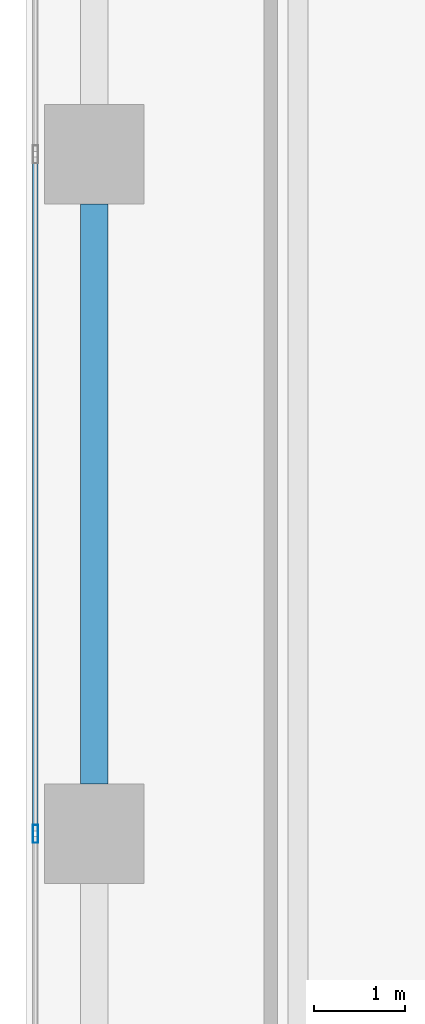
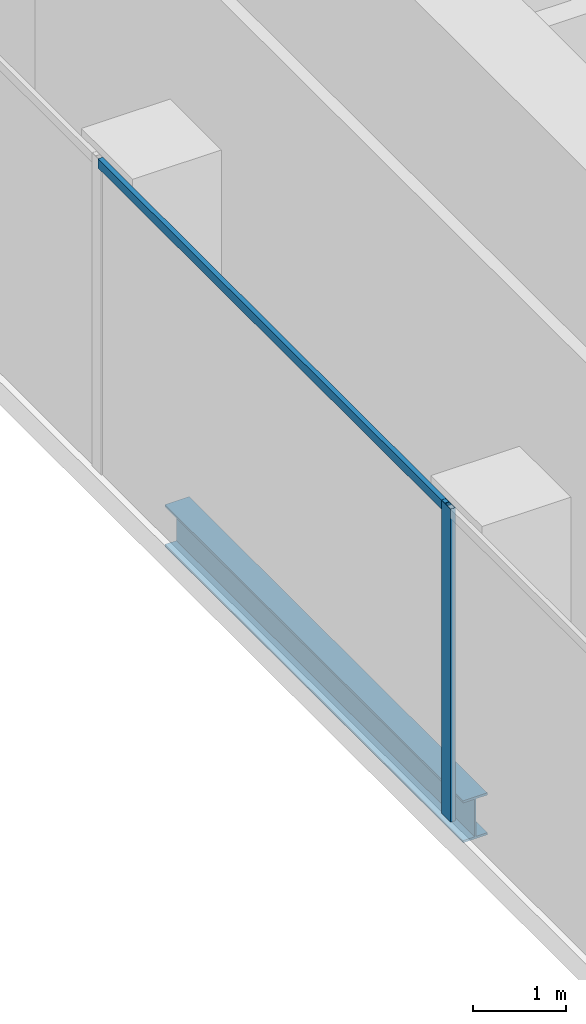
# One storey, part 4 of 34: 2 members, 1 beam, 1 element without a shape of its own.
"""IFC4 building model written with IfcOpenShell, lengths in metres."""

from ifc_helpers import new_model, si_unit, direction, frame, origin, origin_2d, place, context, subcontext, project, spatial, hollow_rectangle, i_section, extrude, source, transform, mapped, material, material_profile, profile_set, type_object, element, aggregate, save


model = new_model("IFC4")

# Units and contexts
model_context = context("Model", 3, precision=1e-05, world=origin(), true_north=direction((0.0, 1.0)))
body_context = subcontext(model_context, "Body", "Model", "MODEL_VIEW")
ifc_project = project(units=[si_unit("LENGTHUNIT", "METRE"), si_unit("AREAUNIT", "SQUARE_METRE"), si_unit("VOLUMEUNIT", "CUBIC_METRE"), si_unit("PLANEANGLEUNIT", "RADIAN"), si_unit("MASSUNIT", "GRAM", prefix="KILO")], contexts=[model_context])

# Site, building, storey
site_placement = place(None, origin())
site = spatial("IfcSite", under=ifc_project, at=site_placement, CompositionType="ELEMENT")
building_placement = place(site_placement, origin())
building = spatial("IfcBuilding", under=site, at=building_placement, Name="Khomas Fold Tower", CompositionType="ELEMENT")
storey_placement = place(building_placement, frame((0.0, 0.0, 145.5)))
storey = spatial("IfcBuildingStorey", under=building, at=storey_placement, Name="L31", CompositionType="ELEMENT", Elevation=145.5)

# Beam
ifc_material_1 = material(Name="Steel S355", Category="steel")
ifc_material_profile_1 = material_profile(ifc_material_1, i_section(OverallWidth=0.300048828125, OverallDepth=0.550048828125, WebThickness=0.014892578125, FlangeThickness=0.029052734375, at=origin_2d()), Name="HE 550 B")
ifc_profile_set_1 = profile_set([ifc_material_profile_1], Name="Steel S355")
beam_type = type_object("IfcBeamType", Name="HE 550 B spandrel SB2", PredefinedType="SPANDREL", material=ifc_profile_set_1)
shared_shape_1 = source(origin(), body_context, "Body", "SweptSolid", [
    extrude(i_section(OverallWidth=0.300048828125, OverallDepth=0.550048828125, WebThickness=0.014892578125, FlangeThickness=0.029052734375, at=origin_2d()), origin(), (0.0, 0.0, 1.0), 6.39990234375),
])
beam_placement = place(storey_placement, frame((2.25, 12.550048828125, -0.574951171875), z_axis=(0.0, 1.0, 0.0), x_axis=(-1.0, 0.0, 0.0)))
element("IfcBeam", 1, at=beam_placement, inside=storey, type_object=beam_type, Name="SB2", PredefinedType="SPANDREL", context=body_context, shape_type="MappedRepresentation", body=[
    mapped(shared_shape_1, transform((0.0, 0.0, 0.0))),
])

# Curtain wall, members
ifc_material_2 = material(Name="Aluminium framed double glazing", Category="aluminium")
curtain_wall_type = type_object("IfcCurtainWallType", Name="SK-Unitised clear-glass wall, growing floors CW1", PredefinedType="NOTDEFINED", material=ifc_material_2)
curtain_wall_placement = place(storey_placement, origin())
curtain_wall = element("IfcCurtainWall", 2, at=curtain_wall_placement, inside=storey, type_object=curtain_wall_type, Name="CW1 run L31 09-0", PredefinedType="NOTDEFINED")
ifc_material_3 = material(Name="Aluminium", Category="aluminium")
ifc_material_profile_2 = material_profile(ifc_material_3, hollow_rectangle(XDim=0.06005859375, YDim=0.1201171875, WallThickness=0.00390625, at=origin_2d()), Name="SK-Unitised clear-glass wall, growing floors transom CW1-T")
ifc_profile_set_2 = profile_set([ifc_material_profile_2], Name="Aluminium")
member_type_1 = type_object("IfcMemberType", Name="SK-Unitised clear-glass wall, growing floors transom CW1-T", PredefinedType="USERDEFINED", material=ifc_profile_set_2)
shared_shape_2 = source(origin(), body_context, "Body", "SweptSolid", [
    extrude(hollow_rectangle(XDim=0.06005859375, YDim=0.1201171875, WallThickness=0.00390625, at=origin_2d()), origin(), (0.0, 0.0, 1.0), 7.43994140625),
])
member_1_placement = place(storey_placement, frame((1.60009765625, 19.469970703125, 4.0400390625), z_axis=(0.0, -1.0, 0.0), x_axis=(1.0, 0.0, 0.0)))
member_1 = element("IfcMember", 3, at=member_1_placement, type_object=member_type_1, Name="CW1 transom 6", ObjectType="TRANSOM", PredefinedType="USERDEFINED", context=body_context, shape_type="MappedRepresentation", body=[
    mapped(shared_shape_2, transform((0.0, 0.0, 0.0))),
])
ifc_material_4 = material(Name="Aluminium", Category="aluminium")
ifc_material_profile_3 = material_profile(ifc_material_4, hollow_rectangle(XDim=0.06005859375, YDim=0.199951171875, WallThickness=0.00390625, at=origin_2d()), Name="SK-Unitised clear-glass wall, growing floors mullion CW1-M")
ifc_profile_set_3 = profile_set([ifc_material_profile_3], Name="Aluminium")
member_type_2 = type_object("IfcMemberType", Name="SK-Unitised clear-glass wall, growing floors mullion CW1-M", PredefinedType="MULLION", material=ifc_profile_set_3)
shared_shape_3 = source(origin(), body_context, "Body", "SweptSolid", [
    extrude(hollow_rectangle(XDim=0.06005859375, YDim=0.199951171875, WallThickness=0.00390625, at=origin_2d()), origin(), (0.0, 0.0, 1.0), 4.10009765625),
])
member_2_placement = place(storey_placement, frame((1.60009765625, 12.0, 0.0), z_axis=(0.0, 0.0, 1.0), x_axis=(1.0, 0.0, 0.0)))
member_2 = element("IfcMember", 4, at=member_2_placement, type_object=member_type_2, Name="CW1 mullion 7", PredefinedType="MULLION", context=body_context, shape_type="MappedRepresentation", body=[
    mapped(shared_shape_3, transform((0.0, 0.0, 0.0))),
])
aggregate(curtain_wall, [member_2, member_1])

save(model, "model.ifc")
